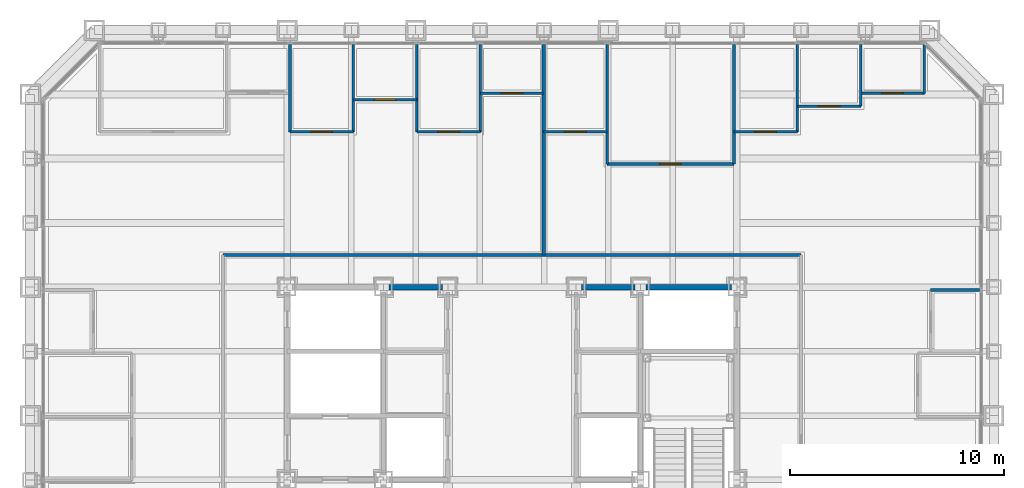
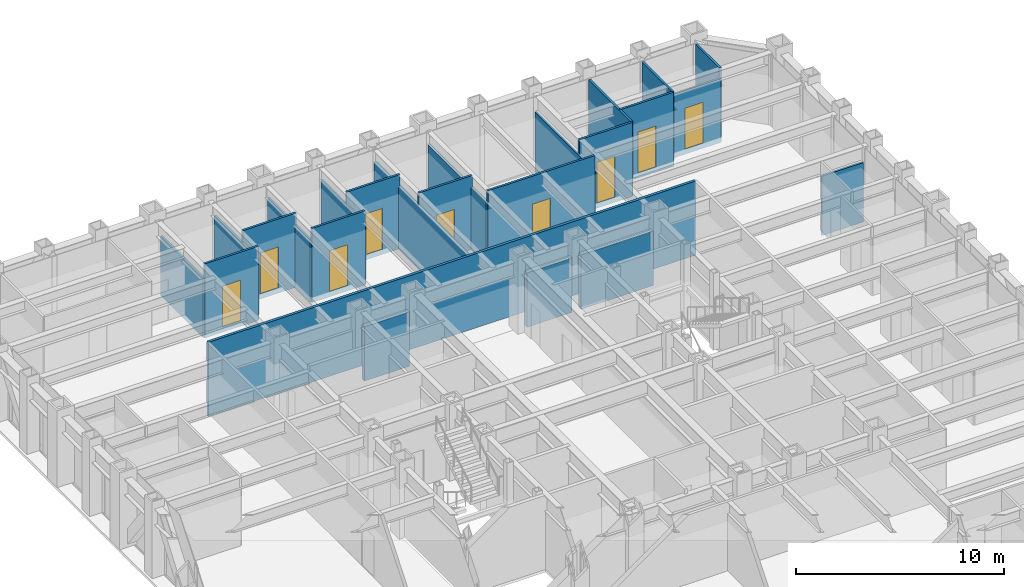
# One storey, part 11 of 16: 24 walls, 9 doors, 9 openings.
"""IFC4 building model written with IfcOpenShell, lengths in metres."""

from ifc_helpers import new_model, si_unit, direction, frame, frame_2d, origin, place, context, subcontext, project, spatial, rectangle, extrude, material, layer, layer_set, type_object, element, fill, save


model = new_model("IFC4")

# Units and contexts
model_context = context("Model", 3, precision=1e-05, world=origin(), true_north=direction((0.0, 1.0)))
body_context = subcontext(model_context, "Body", "Model", "MODEL_VIEW")
ifc_project = project(units=[si_unit("LENGTHUNIT", "METRE"), si_unit("AREAUNIT", "SQUARE_METRE"), si_unit("VOLUMEUNIT", "CUBIC_METRE"), si_unit("PLANEANGLEUNIT", "RADIAN"), si_unit("MASSUNIT", "GRAM", prefix="KILO")], contexts=[model_context])

# Site, building, storey
site_placement = place(None, origin())
site = spatial("IfcSite", under=ifc_project, at=site_placement, CompositionType="ELEMENT")
building_placement = place(site_placement, origin())
building = spatial("IfcBuilding", under=site, at=building_placement, Name="Chuquiago Exchange Tower", CompositionType="ELEMENT")
storey_placement = place(building_placement, frame((0.0, 0.0, 60.300048828125)))
storey = spatial("IfcBuildingStorey", under=building, at=storey_placement, Name="L12", CompositionType="ELEMENT", Elevation=60.300048828125)

# Walls
ifc_material_1 = material(Name="Concrete masonry, fully grouted", Category="masonry")
ifc_layer_1 = layer(ifc_material_1, 0.25)
ifc_layer_set_1 = layer_set([ifc_layer_1], Name="W1 core wall 250")
wall_type_1 = type_object("IfcWallType", Name="W1 core wall 250", PredefinedType="SOLIDWALL", material=ifc_layer_set_1)
for number, where, z_axis, x_axis, name in (
    (1, (16.75, 33.0, 0.0), (0.0, 0.0, 1.0), (1.0, 0.0, 0.0), "CW-L12-11-1"),
    (2, (25.75, 33.0, 0.0), (0.0, 0.0, 1.0), (1.0, 0.0, 0.0), "CW-L12-12-0"),
):
    element("IfcWall", number, at=place(storey_placement, frame(where, z_axis=z_axis, x_axis=x_axis)), inside=storey, type_object=wall_type_1, Name=name, PredefinedType="SOLIDWALL", context=body_context, shape_type="SweptSolid", body=[
        extrude(rectangle(XDim=2.5, YDim=0.25, at=frame_2d((1.25, 0.0))), origin(), (0.0, 0.0, 1.0), 3.181396484375),
    ])
wall_1_placement = place(storey_placement, frame((28.75, 33.0, 0.0), z_axis=(0.0, 0.0, 1.0), x_axis=(1.0, 0.0, 0.0)))
element("IfcWall", 3, at=wall_1_placement, inside=storey, type_object=wall_type_1, Name="CW-L12-12-1", PredefinedType="SOLIDWALL", context=body_context, shape_type="SweptSolid", body=[
    extrude(rectangle(XDim=4.0, YDim=0.25, at=frame_2d((2.0, 0.0))), origin(), (0.0, 0.0, 1.0), 3.181396484375),
])
ifc_material_2 = material(Name="Gypsum board on steel studs, acoustic insulation", Category="steel")
ifc_layer_2 = layer(ifc_material_2, 0.14990234375)
ifc_layer_set_2 = layer_set([ifc_layer_2], Name="W11 corridor wall 150")
wall_type_2 = type_object("IfcWallType", Name="W11 corridor wall 150", PredefinedType="PARTITIONING", material=ifc_layer_set_2)
wall_2_placement = place(storey_placement, frame((9.0, 34.5, -0.300048828125), z_axis=(0.0, 0.0, 1.0), x_axis=(1.0, 0.0, 0.0)))
element("IfcWall", 4, at=wall_2_placement, inside=storey, type_object=wall_type_2, Name="PW-L12-CN", PredefinedType="PARTITIONING", context=body_context, shape_type="SweptSolid", body=[
    extrude(rectangle(XDim=27.0, YDim=0.14990234375, at=frame_2d((13.5, 0.0))), origin(), (0.0, 0.0, 1.0), 4.340087890625),
])
ifc_material_3 = material(Name="Gypsum board on twin steel studs, acoustic insulation", Category="steel")
ifc_layer_3 = layer(ifc_material_3, 0.175048828125)
ifc_layer_set_3 = layer_set([ifc_layer_3], Name="W12 tenant demising wall 175")
wall_type_3 = type_object("IfcWallType", Name="W12 tenant demising wall 175", PredefinedType="PARTITIONING", material=ifc_layer_set_3)
wall_3_placement = place(storey_placement, frame((23.98095703125, 44.342529296875, -0.300048828125), z_axis=(0.0, 0.0, 1.0), x_axis=(0.0, -1.0, 0.0)))
element("IfcWall", 5, at=wall_3_placement, inside=storey, type_object=wall_type_3, Name="PW-L12-DN02398", PredefinedType="PARTITIONING", context=body_context, shape_type="SweptSolid", body=[
    extrude(rectangle(XDim=9.842529296875, YDim=0.175048828125, at=frame_2d((4.92138671875, 0.0))), origin(), (0.0, 0.0, 1.0), 3.646484375),
])
ifc_material_4 = material(Name="Gypsum board on steel studs", Category="steel")
ifc_layer_4 = layer(ifc_material_4, 0.1201171875)
ifc_layer_set_4 = layer_set([ifc_layer_4], Name="W4 partition 120")
wall_type_4 = type_object("IfcWallType", Name="W4 partition 120", PredefinedType="PARTITIONING", material=ifc_layer_set_4)
wall_4_placement = place(storey_placement, frame((44.342529296875, 32.8662109375, -0.300048828125), z_axis=(0.0, 0.0, 1.0), x_axis=(-1.0, 0.0, 0.0)))
element("IfcWall", 6, at=wall_4_placement, inside=storey, type_object=wall_type_4, Name="PW-L12-E03287", PredefinedType="PARTITIONING", context=body_context, shape_type="SweptSolid", body=[
    extrude(rectangle(XDim=2.29248046875, YDim=0.1201171875, at=frame_2d((1.146240234375, 0.0))), origin(), (0.0, 0.0, 1.0), 3.4814453125),
])
wall_5_placement = place(storey_placement, frame((12.1337890625, 44.342529296875, -0.300048828125), z_axis=(0.0, 0.0, 1.0), x_axis=(0.0, -1.0, 0.0)))
element("IfcWall", 7, at=wall_5_placement, inside=storey, type_object=wall_type_4, Name="PW-L12-N01213", PredefinedType="PARTITIONING", context=body_context, shape_type="SweptSolid", body=[
    extrude(rectangle(XDim=4.092529296875, YDim=0.1201171875, at=frame_2d((2.04638671875, 0.0))), origin(), (0.0, 0.0, 1.0), 3.4814453125),
])
for number, where, z_axis, x_axis, name in (
    (8, (15.095703125, 44.342529296875, -0.300048828125), (0.0, 0.0, 1.0), (0.0, -1.0, 0.0), "PW-L12-N01510"),
    (9, (18.057373046875, 44.342529296875, -0.300048828125), (0.0, 0.0, 1.0), (0.0, -1.0, 0.0), "PW-L12-N01806"),
    (10, (21.01904296875, 44.342529296875, -0.300048828125), (0.0, 0.0, 1.0), (0.0, -1.0, 0.0), "PW-L12-N02102"),
):
    element("IfcWall", number, at=place(storey_placement, frame(where, z_axis=z_axis, x_axis=x_axis)), inside=storey, type_object=wall_type_4, Name=name, PredefinedType="PARTITIONING", context=body_context, shape_type="SweptSolid", body=[
        extrude(rectangle(XDim=4.092529296875, YDim=0.1201171875, at=frame_2d((2.04638671875, 0.0))), origin(), (0.0, 0.0, 1.0), 3.646484375),
    ])
wall_6_placement = place(storey_placement, frame((26.942626953125, 44.342529296875, -0.300048828125), z_axis=(0.0, 0.0, 1.0), x_axis=(0.0, -1.0, 0.0)))
element("IfcWall", 11, at=wall_6_placement, inside=storey, type_object=wall_type_4, Name="PW-L12-N02694", PredefinedType="PARTITIONING", context=body_context, shape_type="SweptSolid", body=[
    extrude(rectangle(XDim=5.592529296875, YDim=0.1201171875, at=frame_2d((2.79638671875, 0.0))), origin(), (0.0, 0.0, 1.0), 3.646484375),
])
wall_7_placement = place(storey_placement, frame((32.8662109375, 44.342529296875, -0.300048828125), z_axis=(0.0, 0.0, 1.0), x_axis=(0.0, -1.0, 0.0)))
element("IfcWall", 12, at=wall_7_placement, inside=storey, type_object=wall_type_4, Name="PW-L12-N03287", PredefinedType="PARTITIONING", context=body_context, shape_type="SweptSolid", body=[
    extrude(rectangle(XDim=5.592529296875, YDim=0.1201171875, at=frame_2d((2.79638671875, 0.0))), origin(), (0.0, 0.0, 1.0), 3.4814453125),
])
wall_8_placement = place(storey_placement, frame((35.827880859375, 44.342529296875, -0.300048828125), z_axis=(0.0, 0.0, 1.0), x_axis=(0.0, -1.0, 0.0)))
element("IfcWall", 13, at=wall_8_placement, inside=storey, type_object=wall_type_4, Name="PW-L12-N03583", PredefinedType="PARTITIONING", context=body_context, shape_type="SweptSolid", body=[
    extrude(rectangle(XDim=4.092529296875, YDim=0.1201171875, at=frame_2d((2.04638671875, 0.0))), origin(), (0.0, 0.0, 1.0), 4.340087890625),
])
wall_9_placement = place(storey_placement, frame((38.789794921875, 44.342529296875, -0.300048828125), z_axis=(0.0, 0.0, 1.0), x_axis=(0.0, -1.0, 0.0)))
element("IfcWall", 14, at=wall_9_placement, inside=storey, type_object=wall_type_4, Name="PW-L12-N03879", PredefinedType="PARTITIONING", context=body_context, shape_type="SweptSolid", body=[
    extrude(rectangle(XDim=2.892578125, YDim=0.1201171875, at=frame_2d((1.4462890625, 0.0))), origin(), (0.0, 0.0, 1.0), 4.340087890625),
])
wall_10_placement = place(storey_placement, frame((41.75146484375, 44.333984375, -0.300048828125), z_axis=(0.0, 0.0, 1.0), x_axis=(0.0, -1.0, 0.0)))
element("IfcWall", 15, at=wall_10_placement, inside=storey, type_object=wall_type_4, Name="PW-L12-N04175", PredefinedType="PARTITIONING", context=body_context, shape_type="SweptSolid", body=[
    extrude(rectangle(XDim=2.283935546875, YDim=0.1201171875, at=frame_2d((1.14208984375, 0.0))), origin(), (0.0, 0.0, 1.0), 4.340087890625),
])

# Wall, opening, door
wall_11_placement = place(storey_placement, frame((12.1337890625, 40.25, -0.300048828125), z_axis=(0.0, 0.0, 1.0), x_axis=(1.0, 0.0, 0.0)))
wall_11 = element("IfcWall", 16, at=wall_11_placement, inside=storey, type_object=wall_type_4, Name="PW-L12-NF01213", PredefinedType="PARTITIONING", context=body_context, shape_type="SweptSolid", body=[
    extrude(rectangle(XDim=2.9619140625, YDim=0.1201171875, at=frame_2d((1.48095703125, 0.0))), origin(), (0.0, 0.0, 1.0), 4.340087890625),
])
opening_1_placement = place(wall_11_placement, frame((0.98095703125, 0.0, 0.300048828125)))
opening_1 = element("IfcOpeningElement", 17, at=opening_1_placement, cuts=wall_11, Name="Opening L12-039", PredefinedType="OPENING", context=body_context, shape_type="SweptSolid", body=[
    extrude(rectangle(XDim=1.0, YDim=2.39990234375, at=frame_2d((0.5, 1.199951171875))), frame((0.0, 0.070068359375, 0.0), z_axis=(0.0, -1.0, 0.0), x_axis=(1.0, 0.0, 0.0)), (0.0, 0.0, 1.0), 0.14013671875),
])
ifc_material_5 = material(Name="Timber door, laminate faced", Category="wood")
door_type_1 = type_object("IfcDoorType", Name="D9 room door 1000x2400", OperationType="SINGLE_SWING_LEFT", PredefinedType="DOOR", material=ifc_material_5)
door_1_placement = place(opening_1_placement, origin())
door_1 = element("IfcDoor", 18, at=door_1_placement, inside=storey, type_object=door_type_1, Name="Office door", OperationType="SINGLE_SWING_RIGHT", OverallHeight=2.39990234375, OverallWidth=1.0, PredefinedType="DOOR", context=body_context, shape_type="SweptSolid", body=[
    extrude(rectangle(XDim=1.0, YDim=2.39990234375, at=frame_2d((0.5, 1.199951171875))), frame((0.0, 0.02490234375, 0.0), z_axis=(0.0, -1.0, 0.0), x_axis=(1.0, 0.0, 0.0)), (0.0, 0.0, 1.0), 0.050048828125),
])
fill(opening_1, door_1)

wall_12_placement = place(storey_placement, frame((15.095703125, 41.75, -0.300048828125), z_axis=(0.0, 0.0, 1.0), x_axis=(1.0, 0.0, 0.0)))
wall_12 = element("IfcWall", 19, at=wall_12_placement, inside=storey, type_object=wall_type_4, Name="PW-L12-NF01510", PredefinedType="PARTITIONING", context=body_context, shape_type="SweptSolid", body=[
    extrude(rectangle(XDim=2.961669921875, YDim=0.1201171875, at=frame_2d((1.48095703125, 0.0))), origin(), (0.0, 0.0, 1.0), 4.340087890625),
])
opening_2_placement = place(wall_12_placement, frame((0.98095703125, 0.0, 0.300048828125)))
opening_2 = element("IfcOpeningElement", 20, at=opening_2_placement, cuts=wall_12, Name="Opening L12-040", PredefinedType="OPENING", context=body_context, shape_type="SweptSolid", body=[
    extrude(rectangle(XDim=1.0, YDim=2.39990234375, at=frame_2d((0.5, 1.199951171875))), frame((0.0, 0.070068359375, 0.0), z_axis=(0.0, -1.0, 0.0), x_axis=(1.0, 0.0, 0.0)), (0.0, 0.0, 1.0), 0.14013671875),
])
door_2_placement = place(opening_2_placement, origin())
door_2 = element("IfcDoor", 21, at=door_2_placement, inside=storey, type_object=door_type_1, Name="Store door", OperationType="SINGLE_SWING_LEFT", OverallHeight=2.39990234375, OverallWidth=1.0, PredefinedType="DOOR", context=body_context, shape_type="SweptSolid", body=[
    extrude(rectangle(XDim=1.0, YDim=2.39990234375, at=frame_2d((0.5, 1.199951171875))), frame((0.0, 0.02490234375, 0.0), z_axis=(0.0, -1.0, 0.0), x_axis=(1.0, 0.0, 0.0)), (0.0, 0.0, 1.0), 0.050048828125),
])
fill(opening_2, door_2)

wall_13_placement = place(storey_placement, frame((18.057373046875, 40.25, -0.300048828125), z_axis=(0.0, 0.0, 1.0), x_axis=(1.0, 0.0, 0.0)))
wall_13 = element("IfcWall", 22, at=wall_13_placement, inside=storey, type_object=wall_type_4, Name="PW-L12-NF01806", PredefinedType="PARTITIONING", context=body_context, shape_type="SweptSolid", body=[
    extrude(rectangle(XDim=2.961669921875, YDim=0.1201171875, at=frame_2d((1.48095703125, 0.0))), origin(), (0.0, 0.0, 1.0), 4.340087890625),
])
opening_3_placement = place(wall_13_placement, frame((0.98095703125, 0.0, 0.300048828125)))
opening_3 = element("IfcOpeningElement", 23, at=opening_3_placement, cuts=wall_13, Name="Opening L12-041", PredefinedType="OPENING", context=body_context, shape_type="SweptSolid", body=[
    extrude(rectangle(XDim=1.0, YDim=2.39990234375, at=frame_2d((0.5, 1.199951171875))), frame((0.0, 0.070068359375, 0.0), z_axis=(0.0, -1.0, 0.0), x_axis=(1.0, 0.0, 0.0)), (0.0, 0.0, 1.0), 0.14013671875),
])
door_3_placement = place(opening_3_placement, origin())
door_3 = element("IfcDoor", 24, at=door_3_placement, inside=storey, type_object=door_type_1, Name="Trading support room door", OperationType="SINGLE_SWING_RIGHT", OverallHeight=2.39990234375, OverallWidth=1.0, PredefinedType="DOOR", context=body_context, shape_type="SweptSolid", body=[
    extrude(rectangle(XDim=1.0, YDim=2.39990234375, at=frame_2d((0.5, 1.199951171875))), frame((0.0, 0.02490234375, 0.0), z_axis=(0.0, -1.0, 0.0), x_axis=(1.0, 0.0, 0.0)), (0.0, 0.0, 1.0), 0.050048828125),
])
fill(opening_3, door_3)

wall_14_placement = place(storey_placement, frame((21.01904296875, 42.050048828125, -0.300048828125), z_axis=(0.0, 0.0, 1.0), x_axis=(1.0, 0.0, 0.0)))
wall_14 = element("IfcWall", 25, at=wall_14_placement, inside=storey, type_object=wall_type_4, Name="PW-L12-NF02102", PredefinedType="PARTITIONING", context=body_context, shape_type="SweptSolid", body=[
    extrude(rectangle(XDim=2.9619140625, YDim=0.1201171875, at=frame_2d((1.48095703125, 0.0))), origin(), (0.0, 0.0, 1.0), 4.340087890625),
])
opening_4_placement = place(wall_14_placement, frame((0.98095703125, 0.0, 0.300048828125)))
opening_4 = element("IfcOpeningElement", 26, at=opening_4_placement, cuts=wall_14, Name="Opening L12-042", PredefinedType="OPENING", context=body_context, shape_type="SweptSolid", body=[
    extrude(rectangle(XDim=1.0, YDim=2.39990234375, at=frame_2d((0.5, 1.199951171875))), frame((0.0, 0.070068359375, 0.0), z_axis=(0.0, -1.0, 0.0), x_axis=(1.0, 0.0, 0.0)), (0.0, 0.0, 1.0), 0.14013671875),
])
ifc_material_6 = material(Name="Timber frame door, full height glazed panel", Category="wood")
door_type_2 = type_object("IfcDoorType", Name="D14 glazed meeting room door 1000x2400", OperationType="SINGLE_SWING_LEFT", PredefinedType="DOOR", material=ifc_material_6)
door_4_placement = place(opening_4_placement, origin())
door_4 = element("IfcDoor", 27, at=door_4_placement, inside=storey, type_object=door_type_2, Name="Focus room door", OperationType="SINGLE_SWING_RIGHT", OverallHeight=2.39990234375, OverallWidth=1.0, PredefinedType="DOOR", context=body_context, shape_type="SweptSolid", body=[
    extrude(rectangle(XDim=1.0, YDim=2.39990234375, at=frame_2d((0.5, 1.199951171875))), frame((0.0, 0.02490234375, 0.0), z_axis=(0.0, -1.0, 0.0), x_axis=(1.0, 0.0, 0.0)), (0.0, 0.0, 1.0), 0.050048828125),
])
fill(opening_4, door_4)

wall_15_placement = place(storey_placement, frame((23.98095703125, 40.25, -0.300048828125), z_axis=(0.0, 0.0, 1.0), x_axis=(1.0, 0.0, 0.0)))
wall_15 = element("IfcWall", 28, at=wall_15_placement, inside=storey, type_object=wall_type_4, Name="PW-L12-NF02398", PredefinedType="PARTITIONING", context=body_context, shape_type="SweptSolid", body=[
    extrude(rectangle(XDim=2.961669921875, YDim=0.1201171875, at=frame_2d((1.48095703125, 0.0))), origin(), (0.0, 0.0, 1.0), 4.340087890625),
])
opening_5_placement = place(wall_15_placement, frame((0.98095703125, 0.0, 0.300048828125)))
opening_5 = element("IfcOpeningElement", 29, at=opening_5_placement, cuts=wall_15, Name="Opening L12-043", PredefinedType="OPENING", context=body_context, shape_type="SweptSolid", body=[
    extrude(rectangle(XDim=1.0, YDim=2.39990234375, at=frame_2d((0.5, 1.199951171875))), frame((0.0, 0.070068359375, 0.0), z_axis=(0.0, -1.0, 0.0), x_axis=(1.0, 0.0, 0.0)), (0.0, 0.0, 1.0), 0.14013671875),
])
door_5_placement = place(opening_5_placement, origin())
door_5 = element("IfcDoor", 30, at=door_5_placement, inside=storey, type_object=door_type_1, Name="Office door", OperationType="SINGLE_SWING_LEFT", OverallHeight=2.39990234375, OverallWidth=1.0, PredefinedType="DOOR", context=body_context, shape_type="SweptSolid", body=[
    extrude(rectangle(XDim=1.0, YDim=2.39990234375, at=frame_2d((0.5, 1.199951171875))), frame((0.0, 0.02490234375, 0.0), z_axis=(0.0, -1.0, 0.0), x_axis=(1.0, 0.0, 0.0)), (0.0, 0.0, 1.0), 0.050048828125),
])
fill(opening_5, door_5)

wall_16_placement = place(storey_placement, frame((26.942626953125, 38.75, -0.300048828125), z_axis=(0.0, 0.0, 1.0), x_axis=(1.0, 0.0, 0.0)))
wall_16 = element("IfcWall", 31, at=wall_16_placement, inside=storey, type_object=wall_type_4, Name="PW-L12-NF02694", PredefinedType="PARTITIONING", context=body_context, shape_type="SweptSolid", body=[
    extrude(rectangle(XDim=5.923583984375, YDim=0.1201171875, at=frame_2d((2.9619140625, 0.0))), origin(), (0.0, 0.0, 1.0), 4.340087890625),
])
opening_6_placement = place(wall_16_placement, frame((2.4619140625, 0.0, 0.300048828125)))
opening_6 = element("IfcOpeningElement", 32, at=opening_6_placement, cuts=wall_16, Name="Opening L12-044", PredefinedType="OPENING", context=body_context, shape_type="SweptSolid", body=[
    extrude(rectangle(XDim=1.0, YDim=2.39990234375, at=frame_2d((0.5, 1.199951171875))), frame((0.0, 0.070068359375, 0.0), z_axis=(0.0, -1.0, 0.0), x_axis=(1.0, 0.0, 0.0)), (0.0, 0.0, 1.0), 0.14013671875),
])
door_6_placement = place(opening_6_placement, origin())
door_6 = element("IfcDoor", 33, at=door_6_placement, inside=storey, type_object=door_type_1, Name="Market data room door", OperationType="SINGLE_SWING_LEFT", OverallHeight=2.39990234375, OverallWidth=1.0, PredefinedType="DOOR", context=body_context, shape_type="SweptSolid", body=[
    extrude(rectangle(XDim=1.0, YDim=2.39990234375, at=frame_2d((0.5, 1.199951171875))), frame((0.0, 0.02490234375, 0.0), z_axis=(0.0, -1.0, 0.0), x_axis=(1.0, 0.0, 0.0)), (0.0, 0.0, 1.0), 0.050048828125),
])
fill(opening_6, door_6)

wall_17_placement = place(storey_placement, frame((32.8662109375, 40.25, -0.300048828125), z_axis=(0.0, 0.0, 1.0), x_axis=(1.0, 0.0, 0.0)))
wall_17 = element("IfcWall", 34, at=wall_17_placement, inside=storey, type_object=wall_type_4, Name="PW-L12-NF03287", PredefinedType="PARTITIONING", context=body_context, shape_type="SweptSolid", body=[
    extrude(rectangle(XDim=2.961669921875, YDim=0.1201171875, at=frame_2d((1.48095703125, 0.0))), origin(), (0.0, 0.0, 1.0), 4.340087890625),
])
opening_7_placement = place(wall_17_placement, frame((0.98095703125, 0.0, 0.300048828125)))
opening_7 = element("IfcOpeningElement", 35, at=opening_7_placement, cuts=wall_17, Name="Opening L12-045", PredefinedType="OPENING", context=body_context, shape_type="SweptSolid", body=[
    extrude(rectangle(XDim=1.0, YDim=2.39990234375, at=frame_2d((0.5, 1.199951171875))), frame((0.0, 0.070068359375, 0.0), z_axis=(0.0, -1.0, 0.0), x_axis=(1.0, 0.0, 0.0)), (0.0, 0.0, 1.0), 0.14013671875),
])
door_7_placement = place(opening_7_placement, origin())
door_7 = element("IfcDoor", 36, at=door_7_placement, inside=storey, type_object=door_type_1, Name="Office door", OperationType="SINGLE_SWING_RIGHT", OverallHeight=2.39990234375, OverallWidth=1.0, PredefinedType="DOOR", context=body_context, shape_type="SweptSolid", body=[
    extrude(rectangle(XDim=1.0, YDim=2.39990234375, at=frame_2d((0.5, 1.199951171875))), frame((0.0, 0.02490234375, 0.0), z_axis=(0.0, -1.0, 0.0), x_axis=(1.0, 0.0, 0.0)), (0.0, 0.0, 1.0), 0.050048828125),
])
fill(opening_7, door_7)

wall_18_placement = place(storey_placement, frame((35.827880859375, 41.449951171875, -0.300048828125), z_axis=(0.0, 0.0, 1.0), x_axis=(1.0, 0.0, 0.0)))
wall_18 = element("IfcWall", 37, at=wall_18_placement, inside=storey, type_object=wall_type_4, Name="PW-L12-NF03583", PredefinedType="PARTITIONING", context=body_context, shape_type="SweptSolid", body=[
    extrude(rectangle(XDim=2.9619140625, YDim=0.1201171875, at=frame_2d((1.48095703125, 0.0))), origin(), (0.0, 0.0, 1.0), 4.340087890625),
])
opening_8_placement = place(wall_18_placement, frame((0.98095703125, 0.0, 0.300048828125)))
opening_8 = element("IfcOpeningElement", 38, at=opening_8_placement, cuts=wall_18, Name="Opening L12-046", PredefinedType="OPENING", context=body_context, shape_type="SweptSolid", body=[
    extrude(rectangle(XDim=1.0, YDim=2.39990234375, at=frame_2d((0.5, 1.199951171875))), frame((0.0, 0.070068359375, 0.0), z_axis=(0.0, -1.0, 0.0), x_axis=(1.0, 0.0, 0.0)), (0.0, 0.0, 1.0), 0.14013671875),
])
door_8_placement = place(opening_8_placement, origin())
door_8 = element("IfcDoor", 39, at=door_8_placement, inside=storey, type_object=door_type_1, Name="Pantry door", OperationType="SINGLE_SWING_LEFT", OverallHeight=2.39990234375, OverallWidth=1.0, PredefinedType="DOOR", context=body_context, shape_type="SweptSolid", body=[
    extrude(rectangle(XDim=1.0, YDim=2.39990234375, at=frame_2d((0.5, 1.199951171875))), frame((0.0, 0.02490234375, 0.0), z_axis=(0.0, -1.0, 0.0), x_axis=(1.0, 0.0, 0.0)), (0.0, 0.0, 1.0), 0.050048828125),
])
fill(opening_8, door_8)

wall_19_placement = place(storey_placement, frame((38.789794921875, 42.050048828125, -0.300048828125), z_axis=(0.0, 0.0, 1.0), x_axis=(1.0, 0.0, 0.0)))
wall_19 = element("IfcWall", 40, at=wall_19_placement, inside=storey, type_object=wall_type_4, Name="PW-L12-NF03879", PredefinedType="PARTITIONING", context=body_context, shape_type="SweptSolid", body=[
    extrude(rectangle(XDim=2.961669921875, YDim=0.1201171875, at=frame_2d((1.48095703125, 0.0))), origin(), (0.0, 0.0, 1.0), 3.722900390625),
])
opening_9_placement = place(wall_19_placement, frame((0.98095703125, 0.0, 0.300048828125)))
opening_9 = element("IfcOpeningElement", 41, at=opening_9_placement, cuts=wall_19, Name="Opening L12-047", PredefinedType="OPENING", context=body_context, shape_type="SweptSolid", body=[
    extrude(rectangle(XDim=1.0, YDim=2.39990234375, at=frame_2d((0.5, 1.199951171875))), frame((0.0, 0.070068359375, 0.0), z_axis=(0.0, -1.0, 0.0), x_axis=(1.0, 0.0, 0.0)), (0.0, 0.0, 1.0), 0.14013671875),
])
door_9_placement = place(opening_9_placement, origin())
door_9 = element("IfcDoor", 42, at=door_9_placement, inside=storey, type_object=door_type_2, Name="Focus room door", OperationType="SINGLE_SWING_RIGHT", OverallHeight=2.39990234375, OverallWidth=1.0, PredefinedType="DOOR", context=body_context, shape_type="SweptSolid", body=[
    extrude(rectangle(XDim=1.0, YDim=2.39990234375, at=frame_2d((0.5, 1.199951171875))), frame((0.0, 0.02490234375, 0.0), z_axis=(0.0, -1.0, 0.0), x_axis=(1.0, 0.0, 0.0)), (0.0, 0.0, 1.0), 0.050048828125),
])
fill(opening_9, door_9)

save(model, "model.ifc")
